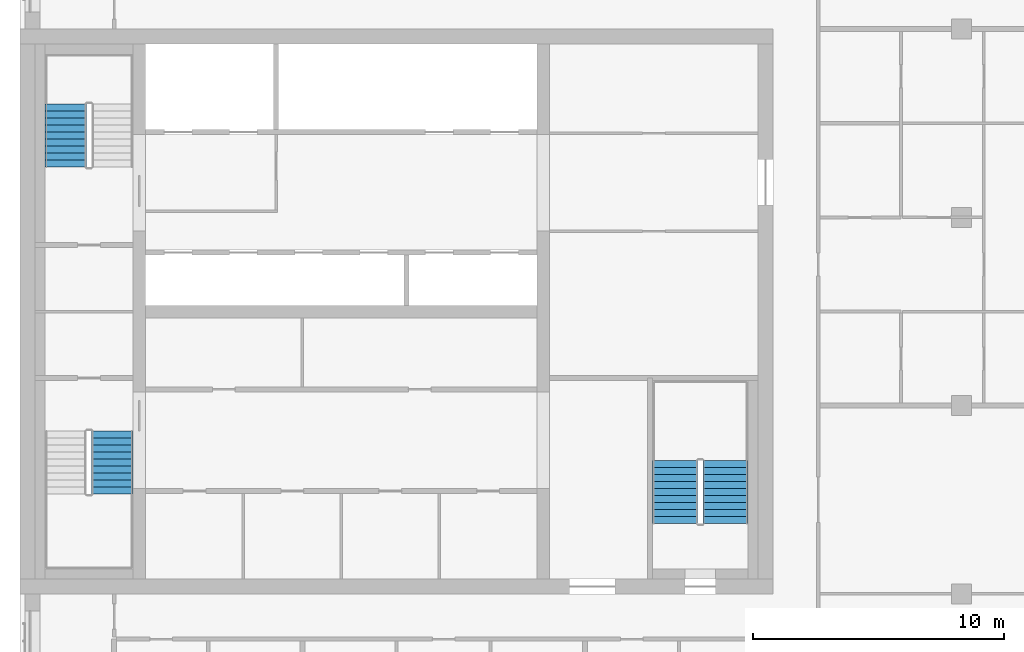
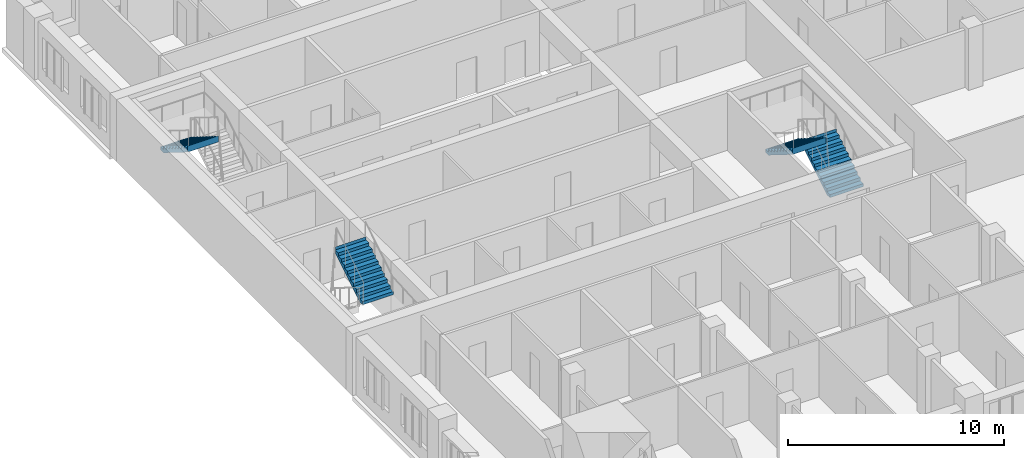
# One storey, part 9 of 11: 4 stair flights, 3 elements without a shape of their own.
"""IFC4 building model written with IfcOpenShell, lengths in metres."""

from ifc_helpers import new_model, si_unit, direction, frame, origin, place, context, subcontext, project, spatial, polyline, outline, extrude, material, type_object, element, aggregate, save


model = new_model("IFC4")

# Units and contexts
model_context = context("Model", 3, precision=1e-05, world=origin(), true_north=direction((0.0, 1.0)))
body_context = subcontext(model_context, "Body", "Model", "MODEL_VIEW")
ifc_project = project(units=[si_unit("LENGTHUNIT", "METRE"), si_unit("AREAUNIT", "SQUARE_METRE"), si_unit("VOLUMEUNIT", "CUBIC_METRE"), si_unit("PLANEANGLEUNIT", "RADIAN"), si_unit("MASSUNIT", "GRAM", prefix="KILO")], contexts=[model_context])

# Site, building, storey
site_placement = place(None, origin())
site = spatial("IfcSite", under=ifc_project, at=site_placement, CompositionType="ELEMENT")
building_placement = place(site_placement, origin())
building = spatial("IfcBuilding", under=site, at=building_placement, Name="Tamorin Gate", CompositionType="ELEMENT")
storey_placement = place(building_placement, frame((0.0, 0.0, 230.199951171875)))
storey = spatial("IfcBuildingStorey", under=building, at=storey_placement, Name="L57", CompositionType="ELEMENT", Elevation=230.199951171875)

# Stair, stair flight
ifc_material = material(Name="Concrete C40/50", Category="concrete")
stair_type = type_object("IfcStairType", Name="Exit stair", PredefinedType="HALF_TURN_STAIR", material=ifc_material)
stair_1_placement = place(storey_placement, origin())
stair_1 = element("IfcStair", 1, at=stair_1_placement, inside=storey, type_object=stair_type, Name="L57 stair ST1", PredefinedType="HALF_TURN_STAIR")
stair_flight_type = type_object("IfcStairFlightType", Name="Exit stair flight", PredefinedType="STRAIGHT", material=ifc_material)
stair_flight_1_placement = place(storey_placement, frame((33.675048828125, 63.97998046875, 1.75), z_axis=(0.0, 0.0, 1.0), x_axis=(0.0, 1.0, 0.0)))
stair_flight_1 = element("IfcStairFlight", 2, at=stair_flight_1_placement, type_object=stair_flight_type, Name="ST1 flight 2", NumberOfRisers=10, NumberOfTreads=9, PredefinedType="STRAIGHT", RiserHeight=0.175, TreadLength=0.28, context=body_context, shape_type="SweptSolid", body=[
    extrude(outline(polyline([(-0.00048828125, 0.0), (-0.00048828125, 0.001708984375), (-0.00048828125, 0.00341796875), (-0.00048828125, 0.005126953125), (-0.00048828125, 0.0068359375), (-0.00048828125, 0.008544921875), (-0.00048828125, 0.010498046875), (-0.00048828125, 0.01220703125), (-0.00048828125, 0.013916015625), (-0.00048828125, 0.015625), (-0.00048828125, 0.017333984375), (-0.00048828125, 0.01904296875), (-0.00048828125, 0.020751953125), (-0.00048828125, 0.0224609375), (-0.00048828125, 0.024169921875), (-0.00048828125, 0.02587890625), (-0.00048828125, 0.02783203125), (-0.00048828125, 0.029541015625), (-0.00048828125, 0.03125), (-0.00048828125, 0.032958984375), (-0.00048828125, 0.03466796875), (-0.00048828125, 0.036376953125), (-0.00048828125, 0.0380859375), (-0.00048828125, 0.039794921875), (-0.00048828125, 0.04150390625), (-0.00048828125, 0.043212890625), (-0.00048828125, 0.045166015625), (-0.00048828125, 0.046875), (-0.00048828125, 0.048583984375), (-0.00048828125, 0.05029296875), (-0.00048828125, 0.052001953125), (-0.00048828125, 0.0537109375), (-0.00048828125, 0.055419921875), (-0.00048828125, 0.05712890625), (-0.00048828125, 0.058837890625), (-0.00048828125, 0.060546875), (-0.00048828125, 0.062255859375), (-0.00048828125, 0.064208984375), (-0.00048828125, 0.06591796875), (-0.00048828125, 0.067626953125), (-0.00048828125, 0.0693359375), (-0.00048828125, 0.071044921875), (-0.00048828125, 0.07275390625), (-0.00048828125, 0.074462890625), (-0.00048828125, 0.076171875), (-0.00048828125, 0.077880859375), (-0.00048828125, 0.07958984375), (-0.00048828125, 0.08154296875), (-0.00048828125, 0.083251953125), (-0.00048828125, 0.0849609375), (-0.00048828125, 0.086669921875), (-0.00048828125, 0.08837890625), (-0.00048828125, 0.090087890625), (-0.00048828125, 0.091796875), (-0.00048828125, 0.093505859375), (-0.00048828125, 0.09521484375), (-0.00048828125, 0.096923828125), (-0.00048828125, 0.098876953125), (-0.00048828125, 0.1005859375), (-0.00048828125, 0.102294921875), (-0.00048828125, 0.10400390625), (-0.00048828125, 0.105712890625), (-0.00048828125, 0.107421875), (-0.00048828125, 0.109130859375), (-0.00048828125, 0.11083984375), (-0.00048828125, 0.112548828125), (-0.00048828125, 0.1142578125), (-0.00048828125, 0.1162109375), (-0.00048828125, 0.117919921875), (-0.00048828125, 0.11962890625), (-0.00048828125, 0.121337890625), (-0.00048828125, 0.123046875), (-0.00048828125, 0.124755859375), (-0.00048828125, 0.12646484375), (-0.00048828125, 0.128173828125), (-0.00048828125, 0.1298828125), (-0.00048828125, 0.131591796875), (-0.00048828125, 0.13330078125), (-0.00048828125, 0.13525390625), (-0.00048828125, 0.136962890625), (-0.00048828125, 0.138671875), (-0.00048828125, 0.140380859375), (-0.00048828125, 0.14208984375), (-0.00048828125, 0.143798828125), (-0.00048828125, 0.1455078125), (-0.00048828125, 0.147216796875), (-0.00048828125, 0.14892578125), (-0.00048828125, 0.150634765625), (-0.00048828125, 0.152587890625), (-0.00048828125, 0.154296875), (-0.00048828125, 0.156005859375), (-0.00048828125, 0.15771484375), (-0.00048828125, 0.159423828125), (-0.00048828125, 0.1611328125), (-0.00048828125, 0.162841796875), (-0.00048828125, 0.16455078125), (-0.00048828125, 0.166259765625), (-0.00048828125, 0.16796875), (-0.00048828125, 0.169921875), (-0.00048828125, 0.171630859375), (-0.00048828125, 0.17333984375), (-0.00048828125, 0.175048828125), (0.280029296875, 0.175048828125), (0.280029296875, 0.35009765625), (0.56005859375, 0.35009765625), (0.56005859375, 0.52490234375), (0.840087890625, 0.52490234375), (0.840087890625, 0.699951171875), (1.1201171875, 0.699951171875), (1.1201171875, 0.875), (1.39990234375, 0.875), (1.39990234375, 1.050048828125), (1.679931640625, 1.050048828125), (1.679931640625, 1.22509765625), (1.9599609375, 1.22509765625), (1.9599609375, 1.39990234375), (2.239990234375, 1.39990234375), (2.239990234375, 1.574951171875), (2.52001953125, 1.574951171875), (2.52001953125, 1.75), (2.5205078125, 1.75), (2.5205078125, 1.74658203125), (2.5205078125, 1.742919921875), (2.5205078125, 1.739501953125), (2.5205078125, 1.736083984375), (2.5205078125, 1.732666015625), (2.5205078125, 1.72900390625), (2.5205078125, 1.7255859375), (2.5205078125, 1.72216796875), (2.5205078125, 1.71875), (2.5205078125, 1.715087890625), (2.5205078125, 1.711669921875), (2.5205078125, 1.708251953125), (2.5205078125, 1.704833984375), (2.5205078125, 1.701171875), (2.5205078125, 1.69775390625), (2.5205078125, 1.6943359375), (2.5205078125, 1.690673828125), (2.5205078125, 1.687255859375), (2.5205078125, 1.683837890625), (2.5205078125, 1.680419921875), (2.5205078125, 1.6767578125), (2.5205078125, 1.67333984375), (2.5205078125, 1.669921875), (2.5205078125, 1.66650390625), (2.5205078125, 1.662841796875), (2.5205078125, 1.659423828125), (2.5205078125, 1.656005859375), (2.5205078125, 1.652587890625), (2.5205078125, 1.64892578125), (2.5205078125, 1.6455078125), (2.5205078125, 1.64208984375), (2.5205078125, 1.638427734375), (2.5205078125, 1.635009765625), (2.5205078125, 1.631591796875), (2.5205078125, 1.628173828125), (2.5205078125, 1.62451171875), (2.5205078125, 1.62109375), (2.5205078125, 1.61767578125), (2.5205078125, 1.6142578125), (2.5205078125, 1.610595703125), (2.5205078125, 1.607177734375), (2.5205078125, 1.603759765625), (2.5205078125, 1.600341796875), (2.5205078125, 1.5966796875), (2.5205078125, 1.59326171875), (2.5205078125, 1.58984375), (2.5205078125, 1.58642578125), (2.5205078125, 1.582763671875), (2.5205078125, 1.579345703125), (2.5205078125, 1.575927734375), (2.5205078125, 1.572265625), (2.5205078125, 1.56884765625), (2.5205078125, 1.5654296875), (2.5205078125, 1.56201171875), (2.5205078125, 1.558349609375), (2.5205078125, 1.554931640625), (2.5205078125, 1.551513671875), (2.5205078125, 1.548095703125), (2.5205078125, 1.54443359375), (2.5205078125, 1.541015625), (2.5205078125, 1.53759765625), (2.5205078125, 1.5341796875), (2.5205078125, 1.530517578125), (2.5205078125, 1.527099609375), (2.5205078125, 1.523681640625), (2.5205078125, 1.52001953125), (2.5205078125, 1.5166015625), (2.5205078125, 1.51318359375), (2.5205078125, 1.509765625), (2.5205078125, 1.506103515625), (2.5205078125, 1.502685546875), (2.5205078125, 1.499267578125), (2.5205078125, 1.495849609375), (2.5205078125, 1.4921875), (2.5205078125, 1.48876953125), (2.5205078125, 1.4853515625), (2.5205078125, 1.48193359375), (2.5205078125, 1.478271484375), (2.5205078125, 1.474853515625), (2.5205078125, 1.471435546875), (2.5205078125, 1.4677734375), (2.5205078125, 1.46435546875), (2.5205078125, 1.4609375), (2.5205078125, 1.45751953125), (2.5205078125, 1.453857421875), (2.5205078125, 1.450439453125), (2.5205078125, 1.447021484375), (2.5205078125, 1.443603515625), (2.5205078125, 1.43994140625), (2.5205078125, 1.4365234375), (2.5205078125, 1.43310546875), (2.5205078125, 1.4296875), (2.5205078125, 1.426025390625), (2.5205078125, 1.422607421875), (2.5205078125, 1.419189453125), (2.5205078125, 1.41552734375), (2.5205078125, 1.412109375), (2.5205078125, 1.40869140625), (2.5205078125, 1.4052734375), (2.5205078125, 1.401611328125), (2.5205078125, 1.398193359375), (2.52001953125, 1.398193359375), (0.28271484375, 0.0), (-0.00048828125, 0.0)])), frame((0.0, 0.824951171875, 0.0), z_axis=(0.0, -1.0, 0.0), x_axis=(1.0, 0.0, 0.0)), (0.0, 0.0, 1.0), 1.64990234375),
])
aggregate(stair_1, [stair_flight_1])

stair_2_placement = place(storey_placement, origin())
stair_2 = element("IfcStair", 3, at=stair_2_placement, inside=storey, type_object=stair_type, Name="L57 stair ST2", PredefinedType="HALF_TURN_STAIR")
stair_flight_2_placement = place(storey_placement, frame((31.824951171875, 79.52001953125, 1.75), z_axis=(0.0, 0.0, 1.0), x_axis=(0.0, -1.0, 0.0)))
stair_flight_2 = element("IfcStairFlight", 4, at=stair_flight_2_placement, type_object=stair_flight_type, Name="ST2 flight 2", NumberOfRisers=10, NumberOfTreads=9, PredefinedType="STRAIGHT", RiserHeight=0.175, TreadLength=0.28, context=body_context, shape_type="SweptSolid", body=[
    extrude(outline(polyline([(-0.00048828125, 0.0), (-0.00048828125, 0.001708984375), (-0.00048828125, 0.00341796875), (-0.00048828125, 0.005126953125), (-0.00048828125, 0.0068359375), (-0.00048828125, 0.008544921875), (-0.00048828125, 0.010498046875), (-0.00048828125, 0.01220703125), (-0.00048828125, 0.013916015625), (-0.00048828125, 0.015625), (-0.00048828125, 0.017333984375), (-0.00048828125, 0.01904296875), (-0.00048828125, 0.020751953125), (-0.00048828125, 0.0224609375), (-0.00048828125, 0.024169921875), (-0.00048828125, 0.02587890625), (-0.00048828125, 0.02783203125), (-0.00048828125, 0.029541015625), (-0.00048828125, 0.03125), (-0.00048828125, 0.032958984375), (-0.00048828125, 0.03466796875), (-0.00048828125, 0.036376953125), (-0.00048828125, 0.0380859375), (-0.00048828125, 0.039794921875), (-0.00048828125, 0.04150390625), (-0.00048828125, 0.043212890625), (-0.00048828125, 0.045166015625), (-0.00048828125, 0.046875), (-0.00048828125, 0.048583984375), (-0.00048828125, 0.05029296875), (-0.00048828125, 0.052001953125), (-0.00048828125, 0.0537109375), (-0.00048828125, 0.055419921875), (-0.00048828125, 0.05712890625), (-0.00048828125, 0.058837890625), (-0.00048828125, 0.060546875), (-0.00048828125, 0.062255859375), (-0.00048828125, 0.064208984375), (-0.00048828125, 0.06591796875), (-0.00048828125, 0.067626953125), (-0.00048828125, 0.0693359375), (-0.00048828125, 0.071044921875), (-0.00048828125, 0.07275390625), (-0.00048828125, 0.074462890625), (-0.00048828125, 0.076171875), (-0.00048828125, 0.077880859375), (-0.00048828125, 0.07958984375), (-0.00048828125, 0.08154296875), (-0.00048828125, 0.083251953125), (-0.00048828125, 0.0849609375), (-0.00048828125, 0.086669921875), (-0.00048828125, 0.08837890625), (-0.00048828125, 0.090087890625), (-0.00048828125, 0.091796875), (-0.00048828125, 0.093505859375), (-0.00048828125, 0.09521484375), (-0.00048828125, 0.096923828125), (-0.00048828125, 0.098876953125), (-0.00048828125, 0.1005859375), (-0.00048828125, 0.102294921875), (-0.00048828125, 0.10400390625), (-0.00048828125, 0.105712890625), (-0.00048828125, 0.107421875), (-0.00048828125, 0.109130859375), (-0.00048828125, 0.11083984375), (-0.00048828125, 0.112548828125), (-0.00048828125, 0.1142578125), (-0.00048828125, 0.1162109375), (-0.00048828125, 0.117919921875), (-0.00048828125, 0.11962890625), (-0.00048828125, 0.121337890625), (-0.00048828125, 0.123046875), (-0.00048828125, 0.124755859375), (-0.00048828125, 0.12646484375), (-0.00048828125, 0.128173828125), (-0.00048828125, 0.1298828125), (-0.00048828125, 0.131591796875), (-0.00048828125, 0.13330078125), (-0.00048828125, 0.13525390625), (-0.00048828125, 0.136962890625), (-0.00048828125, 0.138671875), (-0.00048828125, 0.140380859375), (-0.00048828125, 0.14208984375), (-0.00048828125, 0.143798828125), (-0.00048828125, 0.1455078125), (-0.00048828125, 0.147216796875), (-0.00048828125, 0.14892578125), (-0.00048828125, 0.150634765625), (-0.00048828125, 0.152587890625), (-0.00048828125, 0.154296875), (-0.00048828125, 0.156005859375), (-0.00048828125, 0.15771484375), (-0.00048828125, 0.159423828125), (-0.00048828125, 0.1611328125), (-0.00048828125, 0.162841796875), (-0.00048828125, 0.16455078125), (-0.00048828125, 0.166259765625), (-0.00048828125, 0.16796875), (-0.00048828125, 0.169921875), (-0.00048828125, 0.171630859375), (-0.00048828125, 0.17333984375), (-0.00048828125, 0.175048828125), (0.280029296875, 0.175048828125), (0.280029296875, 0.35009765625), (0.56005859375, 0.35009765625), (0.56005859375, 0.52490234375), (0.840087890625, 0.52490234375), (0.840087890625, 0.699951171875), (1.1201171875, 0.699951171875), (1.1201171875, 0.875), (1.39990234375, 0.875), (1.39990234375, 1.050048828125), (1.679931640625, 1.050048828125), (1.679931640625, 1.22509765625), (1.9599609375, 1.22509765625), (1.9599609375, 1.39990234375), (2.239990234375, 1.39990234375), (2.239990234375, 1.574951171875), (2.52001953125, 1.574951171875), (2.52001953125, 1.75), (2.5205078125, 1.75), (2.5205078125, 1.74658203125), (2.5205078125, 1.742919921875), (2.5205078125, 1.739501953125), (2.5205078125, 1.736083984375), (2.5205078125, 1.732666015625), (2.5205078125, 1.72900390625), (2.5205078125, 1.7255859375), (2.5205078125, 1.72216796875), (2.5205078125, 1.71875), (2.5205078125, 1.715087890625), (2.5205078125, 1.711669921875), (2.5205078125, 1.708251953125), (2.5205078125, 1.704833984375), (2.5205078125, 1.701171875), (2.5205078125, 1.69775390625), (2.5205078125, 1.6943359375), (2.5205078125, 1.690673828125), (2.5205078125, 1.687255859375), (2.5205078125, 1.683837890625), (2.5205078125, 1.680419921875), (2.5205078125, 1.6767578125), (2.5205078125, 1.67333984375), (2.5205078125, 1.669921875), (2.5205078125, 1.66650390625), (2.5205078125, 1.662841796875), (2.5205078125, 1.659423828125), (2.5205078125, 1.656005859375), (2.5205078125, 1.652587890625), (2.5205078125, 1.64892578125), (2.5205078125, 1.6455078125), (2.5205078125, 1.64208984375), (2.5205078125, 1.638427734375), (2.5205078125, 1.635009765625), (2.5205078125, 1.631591796875), (2.5205078125, 1.628173828125), (2.5205078125, 1.62451171875), (2.5205078125, 1.62109375), (2.5205078125, 1.61767578125), (2.5205078125, 1.6142578125), (2.5205078125, 1.610595703125), (2.5205078125, 1.607177734375), (2.5205078125, 1.603759765625), (2.5205078125, 1.600341796875), (2.5205078125, 1.5966796875), (2.5205078125, 1.59326171875), (2.5205078125, 1.58984375), (2.5205078125, 1.58642578125), (2.5205078125, 1.582763671875), (2.5205078125, 1.579345703125), (2.5205078125, 1.575927734375), (2.5205078125, 1.572265625), (2.5205078125, 1.56884765625), (2.5205078125, 1.5654296875), (2.5205078125, 1.56201171875), (2.5205078125, 1.558349609375), (2.5205078125, 1.554931640625), (2.5205078125, 1.551513671875), (2.5205078125, 1.548095703125), (2.5205078125, 1.54443359375), (2.5205078125, 1.541015625), (2.5205078125, 1.53759765625), (2.5205078125, 1.5341796875), (2.5205078125, 1.530517578125), (2.5205078125, 1.527099609375), (2.5205078125, 1.523681640625), (2.5205078125, 1.52001953125), (2.5205078125, 1.5166015625), (2.5205078125, 1.51318359375), (2.5205078125, 1.509765625), (2.5205078125, 1.506103515625), (2.5205078125, 1.502685546875), (2.5205078125, 1.499267578125), (2.5205078125, 1.495849609375), (2.5205078125, 1.4921875), (2.5205078125, 1.48876953125), (2.5205078125, 1.4853515625), (2.5205078125, 1.48193359375), (2.5205078125, 1.478271484375), (2.5205078125, 1.474853515625), (2.5205078125, 1.471435546875), (2.5205078125, 1.4677734375), (2.5205078125, 1.46435546875), (2.5205078125, 1.4609375), (2.5205078125, 1.45751953125), (2.5205078125, 1.453857421875), (2.5205078125, 1.450439453125), (2.5205078125, 1.447021484375), (2.5205078125, 1.443603515625), (2.5205078125, 1.43994140625), (2.5205078125, 1.4365234375), (2.5205078125, 1.43310546875), (2.5205078125, 1.4296875), (2.5205078125, 1.426025390625), (2.5205078125, 1.422607421875), (2.5205078125, 1.419189453125), (2.5205078125, 1.41552734375), (2.5205078125, 1.412109375), (2.5205078125, 1.40869140625), (2.5205078125, 1.4052734375), (2.5205078125, 1.401611328125), (2.5205078125, 1.398193359375), (2.52001953125, 1.398193359375), (0.28271484375, 0.0), (-0.00048828125, 0.0)])), frame((0.0, 0.824951171875, 0.0), z_axis=(0.0, -1.0, 0.0), x_axis=(1.0, 0.0, 0.0)), (0.0, 0.0, 1.0), 1.64990234375),
])
aggregate(stair_2, [stair_flight_2])

# Stair, stair flights
stair_3_placement = place(storey_placement, origin())
stair_3 = element("IfcStair", 5, at=stair_3_placement, inside=storey, type_object=stair_type, Name="L57 stair ST3", PredefinedType="HALF_TURN_STAIR")
stair_flight_3_placement = place(storey_placement, frame((58.10009765625, 62.800048828125, 0.0), z_axis=(0.0, 0.0, 1.0), x_axis=(0.0, 1.0, 0.0)))
stair_flight_3 = element("IfcStairFlight", 6, at=stair_flight_3_placement, type_object=stair_flight_type, Name="ST3 flight 1", NumberOfRisers=10, NumberOfTreads=9, PredefinedType="STRAIGHT", RiserHeight=0.175, TreadLength=0.28, context=body_context, shape_type="SweptSolid", body=[
    extrude(outline(polyline([(-0.00048828125, 0.0), (-0.00048828125, 0.001708984375), (-0.00048828125, 0.00341796875), (-0.00048828125, 0.005126953125), (-0.00048828125, 0.0068359375), (-0.00048828125, 0.008544921875), (-0.00048828125, 0.010498046875), (-0.00048828125, 0.01220703125), (-0.00048828125, 0.013916015625), (-0.00048828125, 0.015625), (-0.00048828125, 0.017333984375), (-0.00048828125, 0.01904296875), (-0.00048828125, 0.020751953125), (-0.00048828125, 0.0224609375), (-0.00048828125, 0.024169921875), (-0.00048828125, 0.02587890625), (-0.00048828125, 0.02783203125), (-0.00048828125, 0.029541015625), (-0.00048828125, 0.03125), (-0.00048828125, 0.032958984375), (-0.00048828125, 0.03466796875), (-0.00048828125, 0.036376953125), (-0.00048828125, 0.0380859375), (-0.00048828125, 0.039794921875), (-0.00048828125, 0.04150390625), (-0.00048828125, 0.043212890625), (-0.00048828125, 0.045166015625), (-0.00048828125, 0.046875), (-0.00048828125, 0.048583984375), (-0.00048828125, 0.05029296875), (-0.00048828125, 0.052001953125), (-0.00048828125, 0.0537109375), (-0.00048828125, 0.055419921875), (-0.00048828125, 0.05712890625), (-0.00048828125, 0.058837890625), (-0.00048828125, 0.060546875), (-0.00048828125, 0.062255859375), (-0.00048828125, 0.064208984375), (-0.00048828125, 0.06591796875), (-0.00048828125, 0.067626953125), (-0.00048828125, 0.0693359375), (-0.00048828125, 0.071044921875), (-0.00048828125, 0.07275390625), (-0.00048828125, 0.074462890625), (-0.00048828125, 0.076171875), (-0.00048828125, 0.077880859375), (-0.00048828125, 0.07958984375), (-0.00048828125, 0.08154296875), (-0.00048828125, 0.083251953125), (-0.00048828125, 0.0849609375), (-0.00048828125, 0.086669921875), (-0.00048828125, 0.08837890625), (-0.00048828125, 0.090087890625), (-0.00048828125, 0.091796875), (-0.00048828125, 0.093505859375), (-0.00048828125, 0.09521484375), (-0.00048828125, 0.096923828125), (-0.00048828125, 0.098876953125), (-0.00048828125, 0.1005859375), (-0.00048828125, 0.102294921875), (-0.00048828125, 0.10400390625), (-0.00048828125, 0.105712890625), (-0.00048828125, 0.107421875), (-0.00048828125, 0.109130859375), (-0.00048828125, 0.11083984375), (-0.00048828125, 0.112548828125), (-0.00048828125, 0.1142578125), (-0.00048828125, 0.1162109375), (-0.00048828125, 0.117919921875), (-0.00048828125, 0.11962890625), (-0.00048828125, 0.121337890625), (-0.00048828125, 0.123046875), (-0.00048828125, 0.124755859375), (-0.00048828125, 0.12646484375), (-0.00048828125, 0.128173828125), (-0.00048828125, 0.1298828125), (-0.00048828125, 0.131591796875), (-0.00048828125, 0.13330078125), (-0.00048828125, 0.13525390625), (-0.00048828125, 0.136962890625), (-0.00048828125, 0.138671875), (-0.00048828125, 0.140380859375), (-0.00048828125, 0.14208984375), (-0.00048828125, 0.143798828125), (-0.00048828125, 0.1455078125), (-0.00048828125, 0.147216796875), (-0.00048828125, 0.14892578125), (-0.00048828125, 0.150634765625), (-0.00048828125, 0.152587890625), (-0.00048828125, 0.154296875), (-0.00048828125, 0.156005859375), (-0.00048828125, 0.15771484375), (-0.00048828125, 0.159423828125), (-0.00048828125, 0.1611328125), (-0.00048828125, 0.162841796875), (-0.00048828125, 0.16455078125), (-0.00048828125, 0.166259765625), (-0.00048828125, 0.16796875), (-0.00048828125, 0.169921875), (-0.00048828125, 0.171630859375), (-0.00048828125, 0.17333984375), (-0.00048828125, 0.175048828125), (0.280029296875, 0.175048828125), (0.280029296875, 0.35009765625), (0.56005859375, 0.35009765625), (0.56005859375, 0.52490234375), (0.840087890625, 0.52490234375), (0.840087890625, 0.699951171875), (1.1201171875, 0.699951171875), (1.1201171875, 0.875), (1.39990234375, 0.875), (1.39990234375, 1.050048828125), (1.679931640625, 1.050048828125), (1.679931640625, 1.22509765625), (1.9599609375, 1.22509765625), (1.9599609375, 1.39990234375), (2.239990234375, 1.39990234375), (2.239990234375, 1.574951171875), (2.52001953125, 1.574951171875), (2.52001953125, 1.75), (2.5205078125, 1.75), (2.5205078125, 1.74658203125), (2.5205078125, 1.742919921875), (2.5205078125, 1.739501953125), (2.5205078125, 1.736083984375), (2.5205078125, 1.732666015625), (2.5205078125, 1.72900390625), (2.5205078125, 1.7255859375), (2.5205078125, 1.72216796875), (2.5205078125, 1.71875), (2.5205078125, 1.715087890625), (2.5205078125, 1.711669921875), (2.5205078125, 1.708251953125), (2.5205078125, 1.704833984375), (2.5205078125, 1.701171875), (2.5205078125, 1.69775390625), (2.5205078125, 1.6943359375), (2.5205078125, 1.690673828125), (2.5205078125, 1.687255859375), (2.5205078125, 1.683837890625), (2.5205078125, 1.680419921875), (2.5205078125, 1.6767578125), (2.5205078125, 1.67333984375), (2.5205078125, 1.669921875), (2.5205078125, 1.66650390625), (2.5205078125, 1.662841796875), (2.5205078125, 1.659423828125), (2.5205078125, 1.656005859375), (2.5205078125, 1.652587890625), (2.5205078125, 1.64892578125), (2.5205078125, 1.6455078125), (2.5205078125, 1.64208984375), (2.5205078125, 1.638427734375), (2.5205078125, 1.635009765625), (2.5205078125, 1.631591796875), (2.5205078125, 1.628173828125), (2.5205078125, 1.62451171875), (2.5205078125, 1.62109375), (2.5205078125, 1.61767578125), (2.5205078125, 1.6142578125), (2.5205078125, 1.610595703125), (2.5205078125, 1.607177734375), (2.5205078125, 1.603759765625), (2.5205078125, 1.600341796875), (2.5205078125, 1.5966796875), (2.5205078125, 1.59326171875), (2.5205078125, 1.58984375), (2.5205078125, 1.58642578125), (2.5205078125, 1.582763671875), (2.5205078125, 1.579345703125), (2.5205078125, 1.575927734375), (2.5205078125, 1.572265625), (2.5205078125, 1.56884765625), (2.5205078125, 1.5654296875), (2.5205078125, 1.56201171875), (2.5205078125, 1.558349609375), (2.5205078125, 1.554931640625), (2.5205078125, 1.551513671875), (2.5205078125, 1.548095703125), (2.5205078125, 1.54443359375), (2.5205078125, 1.541015625), (2.5205078125, 1.53759765625), (2.5205078125, 1.5341796875), (2.5205078125, 1.530517578125), (2.5205078125, 1.527099609375), (2.5205078125, 1.523681640625), (2.5205078125, 1.52001953125), (2.5205078125, 1.5166015625), (2.5205078125, 1.51318359375), (2.5205078125, 1.509765625), (2.5205078125, 1.506103515625), (2.5205078125, 1.502685546875), (2.5205078125, 1.499267578125), (2.5205078125, 1.495849609375), (2.5205078125, 1.4921875), (2.5205078125, 1.48876953125), (2.5205078125, 1.4853515625), (2.5205078125, 1.48193359375), (2.5205078125, 1.478271484375), (2.5205078125, 1.474853515625), (2.5205078125, 1.471435546875), (2.5205078125, 1.4677734375), (2.5205078125, 1.46435546875), (2.5205078125, 1.4609375), (2.5205078125, 1.45751953125), (2.5205078125, 1.453857421875), (2.5205078125, 1.450439453125), (2.5205078125, 1.447021484375), (2.5205078125, 1.443603515625), (2.5205078125, 1.43994140625), (2.5205078125, 1.4365234375), (2.5205078125, 1.43310546875), (2.5205078125, 1.4296875), (2.5205078125, 1.426025390625), (2.5205078125, 1.422607421875), (2.5205078125, 1.419189453125), (2.5205078125, 1.41552734375), (2.5205078125, 1.412109375), (2.5205078125, 1.40869140625), (2.5205078125, 1.4052734375), (2.5205078125, 1.401611328125), (2.5205078125, 1.398193359375), (2.52001953125, 1.398193359375), (0.28271484375, 0.0), (-0.00048828125, 0.0)])), frame((0.0, 0.89990234375, 0.0), z_axis=(0.0, -1.0, 0.0), x_axis=(1.0, 0.0, 0.0)), (0.0, 0.0, 1.0), 1.800048828125),
])
stair_flight_4_placement = place(storey_placement, frame((56.10009765625, 65.320068359375, 1.75), z_axis=(0.0, 0.0, 1.0), x_axis=(0.0, -1.0, 0.0)))
stair_flight_4 = element("IfcStairFlight", 7, at=stair_flight_4_placement, type_object=stair_flight_type, Name="ST3 flight 2", NumberOfRisers=10, NumberOfTreads=9, PredefinedType="STRAIGHT", RiserHeight=0.175, TreadLength=0.28, context=body_context, shape_type="SweptSolid", body=[
    extrude(outline(polyline([(-0.00048828125, 0.0), (-0.00048828125, 0.001708984375), (-0.00048828125, 0.00341796875), (-0.00048828125, 0.005126953125), (-0.00048828125, 0.0068359375), (-0.00048828125, 0.008544921875), (-0.00048828125, 0.010498046875), (-0.00048828125, 0.01220703125), (-0.00048828125, 0.013916015625), (-0.00048828125, 0.015625), (-0.00048828125, 0.017333984375), (-0.00048828125, 0.01904296875), (-0.00048828125, 0.020751953125), (-0.00048828125, 0.0224609375), (-0.00048828125, 0.024169921875), (-0.00048828125, 0.02587890625), (-0.00048828125, 0.02783203125), (-0.00048828125, 0.029541015625), (-0.00048828125, 0.03125), (-0.00048828125, 0.032958984375), (-0.00048828125, 0.03466796875), (-0.00048828125, 0.036376953125), (-0.00048828125, 0.0380859375), (-0.00048828125, 0.039794921875), (-0.00048828125, 0.04150390625), (-0.00048828125, 0.043212890625), (-0.00048828125, 0.045166015625), (-0.00048828125, 0.046875), (-0.00048828125, 0.048583984375), (-0.00048828125, 0.05029296875), (-0.00048828125, 0.052001953125), (-0.00048828125, 0.0537109375), (-0.00048828125, 0.055419921875), (-0.00048828125, 0.05712890625), (-0.00048828125, 0.058837890625), (-0.00048828125, 0.060546875), (-0.00048828125, 0.062255859375), (-0.00048828125, 0.064208984375), (-0.00048828125, 0.06591796875), (-0.00048828125, 0.067626953125), (-0.00048828125, 0.0693359375), (-0.00048828125, 0.071044921875), (-0.00048828125, 0.07275390625), (-0.00048828125, 0.074462890625), (-0.00048828125, 0.076171875), (-0.00048828125, 0.077880859375), (-0.00048828125, 0.07958984375), (-0.00048828125, 0.08154296875), (-0.00048828125, 0.083251953125), (-0.00048828125, 0.0849609375), (-0.00048828125, 0.086669921875), (-0.00048828125, 0.08837890625), (-0.00048828125, 0.090087890625), (-0.00048828125, 0.091796875), (-0.00048828125, 0.093505859375), (-0.00048828125, 0.09521484375), (-0.00048828125, 0.096923828125), (-0.00048828125, 0.098876953125), (-0.00048828125, 0.1005859375), (-0.00048828125, 0.102294921875), (-0.00048828125, 0.10400390625), (-0.00048828125, 0.105712890625), (-0.00048828125, 0.107421875), (-0.00048828125, 0.109130859375), (-0.00048828125, 0.11083984375), (-0.00048828125, 0.112548828125), (-0.00048828125, 0.1142578125), (-0.00048828125, 0.1162109375), (-0.00048828125, 0.117919921875), (-0.00048828125, 0.11962890625), (-0.00048828125, 0.121337890625), (-0.00048828125, 0.123046875), (-0.00048828125, 0.124755859375), (-0.00048828125, 0.12646484375), (-0.00048828125, 0.128173828125), (-0.00048828125, 0.1298828125), (-0.00048828125, 0.131591796875), (-0.00048828125, 0.13330078125), (-0.00048828125, 0.13525390625), (-0.00048828125, 0.136962890625), (-0.00048828125, 0.138671875), (-0.00048828125, 0.140380859375), (-0.00048828125, 0.14208984375), (-0.00048828125, 0.143798828125), (-0.00048828125, 0.1455078125), (-0.00048828125, 0.147216796875), (-0.00048828125, 0.14892578125), (-0.00048828125, 0.150634765625), (-0.00048828125, 0.152587890625), (-0.00048828125, 0.154296875), (-0.00048828125, 0.156005859375), (-0.00048828125, 0.15771484375), (-0.00048828125, 0.159423828125), (-0.00048828125, 0.1611328125), (-0.00048828125, 0.162841796875), (-0.00048828125, 0.16455078125), (-0.00048828125, 0.166259765625), (-0.00048828125, 0.16796875), (-0.00048828125, 0.169921875), (-0.00048828125, 0.171630859375), (-0.00048828125, 0.17333984375), (-0.00048828125, 0.175048828125), (0.280029296875, 0.175048828125), (0.280029296875, 0.35009765625), (0.56005859375, 0.35009765625), (0.56005859375, 0.52490234375), (0.840087890625, 0.52490234375), (0.840087890625, 0.699951171875), (1.1201171875, 0.699951171875), (1.1201171875, 0.875), (1.39990234375, 0.875), (1.39990234375, 1.050048828125), (1.679931640625, 1.050048828125), (1.679931640625, 1.22509765625), (1.9599609375, 1.22509765625), (1.9599609375, 1.39990234375), (2.239990234375, 1.39990234375), (2.239990234375, 1.574951171875), (2.52001953125, 1.574951171875), (2.52001953125, 1.75), (2.5205078125, 1.75), (2.5205078125, 1.74658203125), (2.5205078125, 1.742919921875), (2.5205078125, 1.739501953125), (2.5205078125, 1.736083984375), (2.5205078125, 1.732666015625), (2.5205078125, 1.72900390625), (2.5205078125, 1.7255859375), (2.5205078125, 1.72216796875), (2.5205078125, 1.71875), (2.5205078125, 1.715087890625), (2.5205078125, 1.711669921875), (2.5205078125, 1.708251953125), (2.5205078125, 1.704833984375), (2.5205078125, 1.701171875), (2.5205078125, 1.69775390625), (2.5205078125, 1.6943359375), (2.5205078125, 1.690673828125), (2.5205078125, 1.687255859375), (2.5205078125, 1.683837890625), (2.5205078125, 1.680419921875), (2.5205078125, 1.6767578125), (2.5205078125, 1.67333984375), (2.5205078125, 1.669921875), (2.5205078125, 1.66650390625), (2.5205078125, 1.662841796875), (2.5205078125, 1.659423828125), (2.5205078125, 1.656005859375), (2.5205078125, 1.652587890625), (2.5205078125, 1.64892578125), (2.5205078125, 1.6455078125), (2.5205078125, 1.64208984375), (2.5205078125, 1.638427734375), (2.5205078125, 1.635009765625), (2.5205078125, 1.631591796875), (2.5205078125, 1.628173828125), (2.5205078125, 1.62451171875), (2.5205078125, 1.62109375), (2.5205078125, 1.61767578125), (2.5205078125, 1.6142578125), (2.5205078125, 1.610595703125), (2.5205078125, 1.607177734375), (2.5205078125, 1.603759765625), (2.5205078125, 1.600341796875), (2.5205078125, 1.5966796875), (2.5205078125, 1.59326171875), (2.5205078125, 1.58984375), (2.5205078125, 1.58642578125), (2.5205078125, 1.582763671875), (2.5205078125, 1.579345703125), (2.5205078125, 1.575927734375), (2.5205078125, 1.572265625), (2.5205078125, 1.56884765625), (2.5205078125, 1.5654296875), (2.5205078125, 1.56201171875), (2.5205078125, 1.558349609375), (2.5205078125, 1.554931640625), (2.5205078125, 1.551513671875), (2.5205078125, 1.548095703125), (2.5205078125, 1.54443359375), (2.5205078125, 1.541015625), (2.5205078125, 1.53759765625), (2.5205078125, 1.5341796875), (2.5205078125, 1.530517578125), (2.5205078125, 1.527099609375), (2.5205078125, 1.523681640625), (2.5205078125, 1.52001953125), (2.5205078125, 1.5166015625), (2.5205078125, 1.51318359375), (2.5205078125, 1.509765625), (2.5205078125, 1.506103515625), (2.5205078125, 1.502685546875), (2.5205078125, 1.499267578125), (2.5205078125, 1.495849609375), (2.5205078125, 1.4921875), (2.5205078125, 1.48876953125), (2.5205078125, 1.4853515625), (2.5205078125, 1.48193359375), (2.5205078125, 1.478271484375), (2.5205078125, 1.474853515625), (2.5205078125, 1.471435546875), (2.5205078125, 1.4677734375), (2.5205078125, 1.46435546875), (2.5205078125, 1.4609375), (2.5205078125, 1.45751953125), (2.5205078125, 1.453857421875), (2.5205078125, 1.450439453125), (2.5205078125, 1.447021484375), (2.5205078125, 1.443603515625), (2.5205078125, 1.43994140625), (2.5205078125, 1.4365234375), (2.5205078125, 1.43310546875), (2.5205078125, 1.4296875), (2.5205078125, 1.426025390625), (2.5205078125, 1.422607421875), (2.5205078125, 1.419189453125), (2.5205078125, 1.41552734375), (2.5205078125, 1.412109375), (2.5205078125, 1.40869140625), (2.5205078125, 1.4052734375), (2.5205078125, 1.401611328125), (2.5205078125, 1.398193359375), (2.52001953125, 1.398193359375), (0.28271484375, 0.0), (-0.00048828125, 0.0)])), frame((0.0, 0.89990234375, 0.0), z_axis=(0.0, -1.0, 0.0), x_axis=(1.0, 0.0, 0.0)), (0.0, 0.0, 1.0), 1.800048828125),
])
aggregate(stair_3, [stair_flight_3, stair_flight_4])

save(model, "model.ifc")
